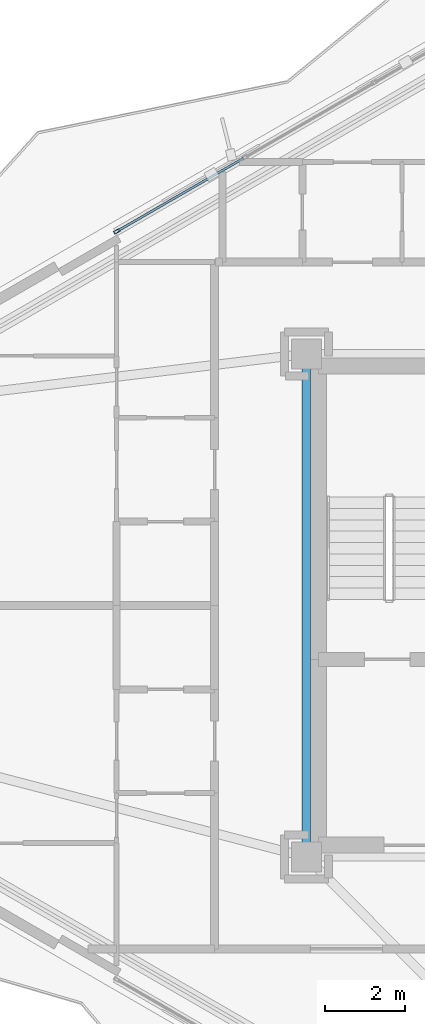
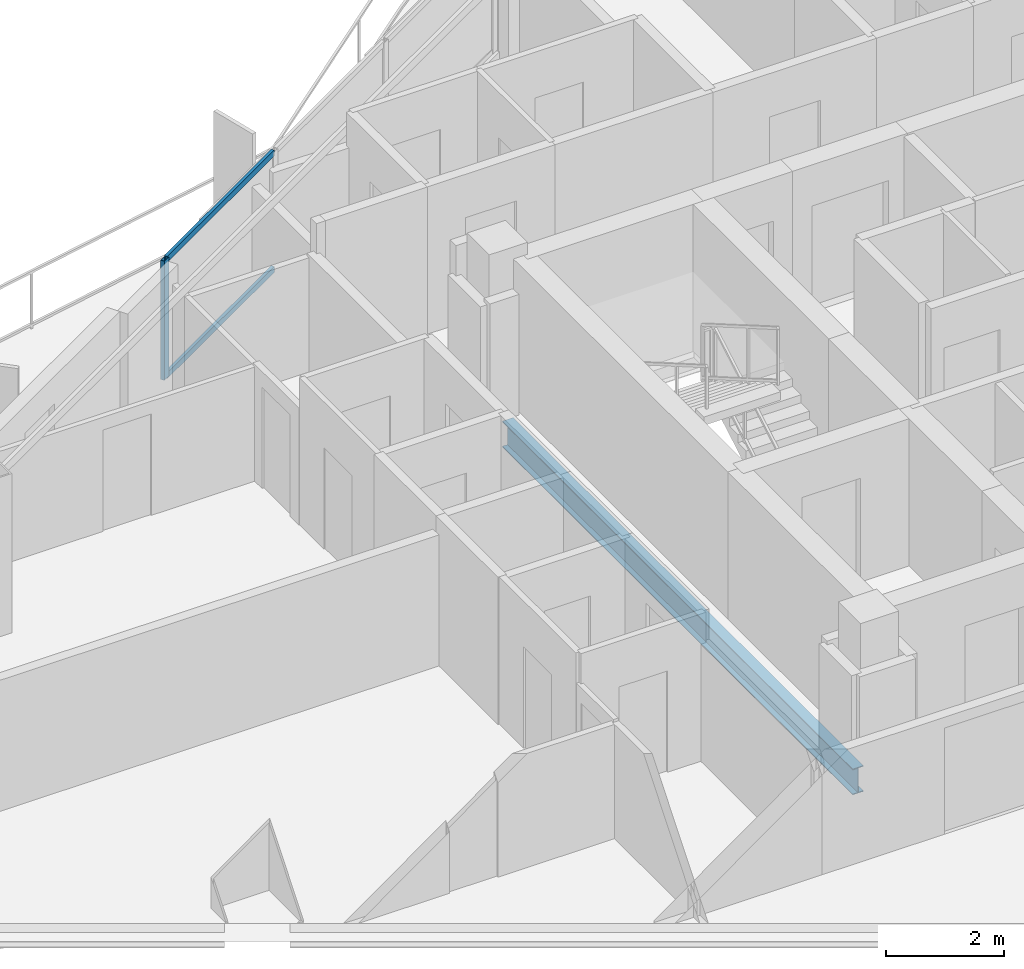
# One storey, part 6 of 22: 3 members, 1 beam, 1 element without a shape of its own.
"""IFC4 building model written with IfcOpenShell, lengths in metres."""

from ifc_helpers import new_model, si_unit, direction, frame, origin, origin_2d, place, context, subcontext, project, spatial, hollow_rectangle, i_section, extrude, material, layer, layer_set, material_profile, profile_set, type_object, element, aggregate, save


model = new_model("IFC4")

# Units and contexts
model_context = context("Model", 3, precision=1e-05, world=origin(), true_north=direction((0.0, 1.0)))
body_context = subcontext(model_context, "Body", "Model", "MODEL_VIEW")
ifc_project = project(units=[si_unit("LENGTHUNIT", "METRE"), si_unit("AREAUNIT", "SQUARE_METRE"), si_unit("VOLUMEUNIT", "CUBIC_METRE"), si_unit("PLANEANGLEUNIT", "RADIAN"), si_unit("MASSUNIT", "GRAM", prefix="KILO")], contexts=[model_context])

# Site, building, storey
site_placement = place(None, origin())
site = spatial("IfcSite", under=ifc_project, at=site_placement, CompositionType="ELEMENT")
building_placement = place(site_placement, origin())
building = spatial("IfcBuilding", under=site, at=building_placement, Name="Mersakhor Tower and Convention Hall", CompositionType="ELEMENT")
storey_placement = place(building_placement, frame((0.0, 0.0, 103.199951171875)))
storey = spatial("IfcBuildingStorey", under=building, at=storey_placement, Name="L28", CompositionType="ELEMENT", Elevation=103.199951171875)

# Beam
ifc_material_1 = material(Name="Steel S355", Category="steel")
ifc_material_profile_1 = material_profile(ifc_material_1, i_section(OverallWidth=0.2099609375, OverallDepth=0.53662109375, WebThickness=0.0107421875, FlangeThickness=0.017333984375, at=origin_2d()), Name="UB 533x210x101")
ifc_profile_set_1 = profile_set([ifc_material_profile_1], Name="Steel S355")
beam_type = type_object("IfcBeamType", Name="BM-FB-533", PredefinedType="BEAM", material=ifc_profile_set_1)
beam_placement = place(storey_placement, frame((21.89990234375, 20.804931640625, -0.518310546875), z_axis=(0.0, 1.0, 0.0), x_axis=(-1.0, 0.0, 0.0)))
element("IfcBeam", 1, at=beam_placement, inside=storey, type_object=beam_type, Name="L28 Core Ring Tie Beam CRB-1", PredefinedType="BEAM", context=body_context, shape_type="SweptSolid", body=[
    extrude(i_section(OverallWidth=0.2099609375, OverallDepth=0.53662109375, WebThickness=0.0107421875, FlangeThickness=0.017333984375, at=origin_2d()), origin(), (0.0, 0.0, 1.0), 11.89013671875),
])

# Curtain wall, members
ifc_material_2 = material(Name="Dark solar low-E aluminium curtain wall", Category="aluminium")
ifc_layer = layer(ifc_material_2, 0.159912109375)
ifc_layer_set = layer_set([ifc_layer], Name="Dark solar low-E aluminium curtain wall")
curtain_wall_type = type_object("IfcCurtainWallType", Name="CW-SYS-01", PredefinedType="USERDEFINED", material=ifc_layer_set)
curtain_wall_placement = place(storey_placement, origin())
curtain_wall = element("IfcCurtainWall", 2, at=curtain_wall_placement, inside=storey, type_object=curtain_wall_type, Name="L28 Dark-Glass Curtain Wall F1-B2", ObjectType="CURTAIN WALL", PredefinedType="USERDEFINED")
ifc_material_3 = material(Name="Anodised aluminium EN AW-6063 T6", Category="aluminium")
ifc_material_profile_2 = material_profile(ifc_material_3, hollow_rectangle(XDim=0.074951171875, YDim=0.14990234375, WallThickness=0.00634765625, at=origin_2d()), Name="RHS 150x75x6.3")
ifc_profile_set_2 = profile_set([ifc_material_profile_2], Name="Anodised aluminium EN AW-6063 T6")
member_type_1 = type_object("IfcMemberType", Name="CWM-150x75", PredefinedType="MULLION", material=ifc_profile_set_2)
member_1_placement = place(storey_placement, frame((17.152587890625, 36.11572265625, 0.199951171875), z_axis=(0.0, 0.0, 1.0), x_axis=(-0.499997904985, 0.866026613339, 0.0)))
member_1 = element("IfcMember", 3, at=member_1_placement, type_object=member_type_1, Name="CW-01 mullion 1", PredefinedType="MULLION", context=body_context, shape_type="SweptSolid", body=[
    extrude(hollow_rectangle(XDim=0.074951171875, YDim=0.14990234375, WallThickness=0.00634765625, at=origin_2d()), origin(), (0.0, 0.0, 1.0), 2.47021484375),
])
ifc_material_4 = material(Name="Anodised aluminium EN AW-6063 T6", Category="aluminium")
ifc_material_profile_3 = material_profile(ifc_material_4, hollow_rectangle(XDim=0.06005859375, YDim=0.1201171875, WallThickness=0.0048828125, at=origin_2d()), Name="RHS 120x60x5")
ifc_profile_set_3 = profile_set([ifc_material_profile_3], Name="Anodised aluminium EN AW-6063 T6")
member_type_2 = type_object("IfcMemberType", Name="CWT-120x60", PredefinedType="USERDEFINED", material=ifc_profile_set_3)
member_2_placement = place(storey_placement, frame((17.18505859375, 36.134521484375, 0.22998046875), z_axis=(0.866045614266, 0.499964992784, 0.0), x_axis=(-0.499964992784, 0.866045614266, 0.0)))
member_2 = element("IfcMember", 4, at=member_2_placement, type_object=member_type_2, Name="CW-01 transom 1.1", ObjectType="TRANSOM", PredefinedType="USERDEFINED", context=body_context, shape_type="SweptSolid", body=[
    extrude(hollow_rectangle(XDim=0.06005859375, YDim=0.1201171875, WallThickness=0.0048828125, at=origin_2d()), origin(), (0.0, 0.0, 1.0), 3.630615234375),
])
member_3_placement = place(storey_placement, frame((17.18505859375, 36.134521484375, 2.64013671875), z_axis=(0.866045614266, 0.499964992784, 0.0), x_axis=(-0.499964992784, 0.866045614266, 0.0)))
member_3 = element("IfcMember", 5, at=member_3_placement, type_object=member_type_2, Name="CW-01 transom 1.2", ObjectType="TRANSOM", PredefinedType="USERDEFINED", context=body_context, shape_type="SweptSolid", body=[
    extrude(hollow_rectangle(XDim=0.06005859375, YDim=0.1201171875, WallThickness=0.0048828125, at=origin_2d()), origin(), (0.0, 0.0, 1.0), 3.630615234375),
])
aggregate(curtain_wall, [member_1, member_2, member_3])

save(model, "model.ifc")
